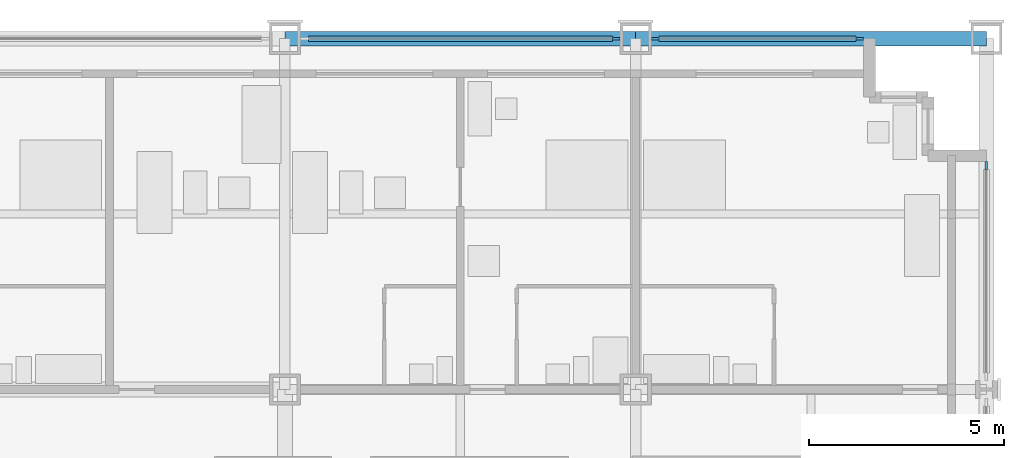
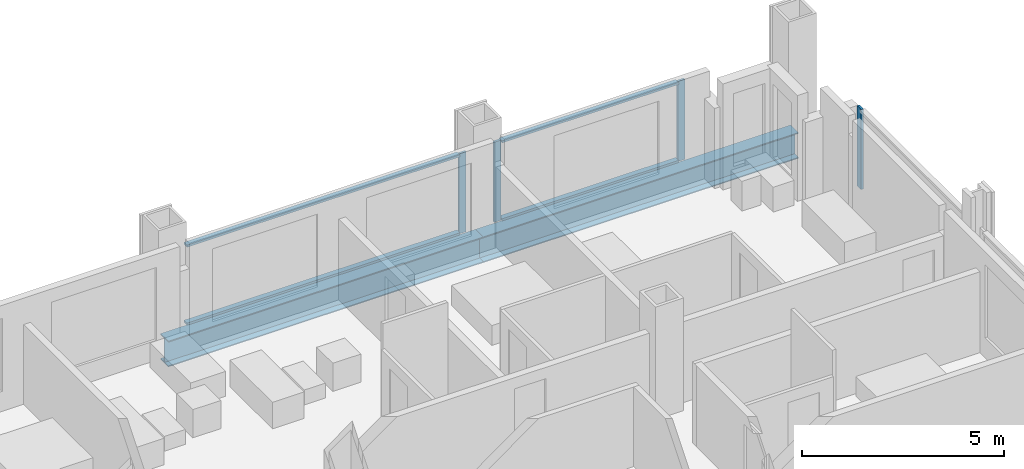
# One storey, part 8 of 18: 8 members, 2 beams, 3 elements without a shape of their own.
"""IFC4 building model written with IfcOpenShell, lengths in metres."""

from ifc_helpers import new_model, si_unit, direction, frame, origin, origin_2d, place, context, subcontext, project, spatial, rectangle, i_section, extrude, material, material_profile, profile_set, type_object, element, aggregate, save


model = new_model("IFC4")

# Units and contexts
model_context = context("Model", 3, precision=1e-05, world=origin(), true_north=direction((0.0, 1.0)))
body_context = subcontext(model_context, "Body", "Model", "MODEL_VIEW")
ifc_project = project(units=[si_unit("LENGTHUNIT", "METRE"), si_unit("AREAUNIT", "SQUARE_METRE"), si_unit("VOLUMEUNIT", "CUBIC_METRE"), si_unit("PLANEANGLEUNIT", "RADIAN"), si_unit("MASSUNIT", "GRAM", prefix="KILO")], contexts=[model_context])

# Site, building, storey
site_placement = place(None, origin())
site = spatial("IfcSite", under=ifc_project, at=site_placement, CompositionType="ELEMENT")
building_placement = place(site_placement, origin())
building = spatial("IfcBuilding", under=site, at=building_placement, Name="Loomwork Tower", CompositionType="ELEMENT")
storey_placement = place(building_placement, frame((0.0, 0.0, 72.199951171875)))
storey = spatial("IfcBuildingStorey", under=building, at=storey_placement, Name="L18", CompositionType="ELEMENT", Elevation=72.199951171875)

# Curtain wall, member
ifc_material_1 = material(Name="Aluminium curtain wall frame", Category="aluminium")
curtain_wall_type = type_object("IfcCurtainWallType", Name="Outer skin glazing hotel", PredefinedType="NOTDEFINED", material=ifc_material_1)
curtain_wall_1_placement = place(storey_placement, origin())
curtain_wall_1 = element("IfcCurtainWall", 1, at=curtain_wall_1_placement, inside=storey, type_object=curtain_wall_type, Name="Outer skin glazing hotel cw/N-36", PredefinedType="NOTDEFINED")
ifc_material_2 = material(Name="Aluminium curtain wall frame", Category="aluminium")
ifc_material_profile_1 = material_profile(ifc_material_2, rectangle(XDim=0.06494140625, YDim=0.199951171875, at=origin_2d()), Name="AL 65x200")
ifc_profile_set_1 = profile_set([ifc_material_profile_1], Name="Aluminium curtain wall frame")
member_type_1 = type_object("IfcMemberType", Name="Outer skin glazing hotel mullion", PredefinedType="MULLION", material=ifc_profile_set_1)
member_1_placement = place(storey_placement, frame((44.5, 36.0, 0.0), z_axis=(0.0, 0.0, 1.0), x_axis=(0.0, -1.0, 0.0)))
member_1 = element("IfcMember", 2, at=member_1_placement, type_object=member_type_1, Name="CW1 mullion 1", PredefinedType="MULLION", context=body_context, shape_type="SweptSolid", body=[
    extrude(rectangle(XDim=0.06494140625, YDim=0.199951171875, at=origin_2d()), origin(), (0.0, 0.0, 1.0), 2.420166015625),
])

# Curtain wall, members
curtain_wall_2_placement = place(storey_placement, origin())
curtain_wall_2 = element("IfcCurtainWall", 3, at=curtain_wall_2_placement, inside=storey, type_object=curtain_wall_type, Name="Outer skin glazing hotel cw/N-45", PredefinedType="NOTDEFINED")
member_2_placement = place(storey_placement, frame((50.75, 36.0, 0.0), z_axis=(0.0, 0.0, 1.0), x_axis=(0.0, -1.0, 0.0)))
member_2 = element("IfcMember", 4, at=member_2_placement, type_object=member_type_1, Name="CW1 mullion 1", PredefinedType="MULLION", context=body_context, shape_type="SweptSolid", body=[
    extrude(rectangle(XDim=0.06494140625, YDim=0.199951171875, at=origin_2d()), origin(), (0.0, 0.0, 1.0), 2.420166015625),
])
member_3_placement = place(storey_placement, frame((45.5, 36.0, 0.0), z_axis=(0.0, 0.0, 1.0), x_axis=(0.0, -1.0, 0.0)))
member_3 = element("IfcMember", 5, at=member_3_placement, type_object=member_type_1, Name="CW1 mullion 2", PredefinedType="MULLION", context=body_context, shape_type="SweptSolid", body=[
    extrude(rectangle(XDim=0.06494140625, YDim=0.199951171875, at=origin_2d()), origin(), (0.0, 0.0, 1.0), 2.420166015625),
])

# Curtain wall, member
curtain_wall_3_placement = place(storey_placement, origin())
curtain_wall_3 = element("IfcCurtainWall", 6, at=curtain_wall_3_placement, inside=storey, type_object=curtain_wall_type, Name="Outer skin glazing hotel cw/E-27", PredefinedType="NOTDEFINED")
member_4_placement = place(storey_placement, frame((54.0, 32.75, 0.0), z_axis=(0.0, 0.0, 1.0), x_axis=(-1.0, 0.0, 0.0)))
member_4 = element("IfcMember", 7, at=member_4_placement, type_object=member_type_1, Name="CW1 mullion 2", PredefinedType="MULLION", context=body_context, shape_type="SweptSolid", body=[
    extrude(rectangle(XDim=0.06494140625, YDim=0.199951171875, at=origin_2d()), origin(), (0.0, 0.0, 1.0), 2.420166015625),
])
aggregate(curtain_wall_3, [member_4])

# Member
ifc_material_3 = material(Name="Aluminium curtain wall frame", Category="aluminium")
ifc_material_profile_2 = material_profile(ifc_material_3, rectangle(XDim=0.14990234375, YDim=0.06494140625, at=origin_2d()), Name="AL 65x150")
ifc_profile_set_2 = profile_set([ifc_material_profile_2], Name="Aluminium curtain wall frame")
member_type_2 = type_object("IfcMemberType", Name="Outer skin glazing hotel transom", PredefinedType="USERDEFINED", material=ifc_profile_set_2)
member_5_placement = place(storey_placement, frame((44.39990234375, 36.0, 0.032470703125), z_axis=(-1.0, 0.0, 0.0), x_axis=(0.0, -1.0, 0.0)))
member_5 = element("IfcMember", 8, at=member_5_placement, type_object=member_type_2, Name="CW1 transom 1.1", ObjectType="TRANSOM", PredefinedType="USERDEFINED", context=body_context, shape_type="SweptSolid", body=[
    extrude(rectangle(XDim=0.14990234375, YDim=0.06494140625, at=origin_2d()), origin(), (0.0, 0.0, 1.0), 7.7998046875),
])

member_6_placement = place(storey_placement, frame((44.39990234375, 36.0, 2.3876953125), z_axis=(-1.0, 0.0, 0.0), x_axis=(0.0, -1.0, 0.0)))
member_6 = element("IfcMember", 9, at=member_6_placement, type_object=member_type_2, Name="CW1 transom 1.2", ObjectType="TRANSOM", PredefinedType="USERDEFINED", context=body_context, shape_type="SweptSolid", body=[
    extrude(rectangle(XDim=0.14990234375, YDim=0.06494140625, at=origin_2d()), origin(), (0.0, 0.0, 1.0), 7.7998046875),
])

aggregate(curtain_wall_1, [member_1, member_5, member_6])

member_7_placement = place(storey_placement, frame((50.64990234375, 36.0, 0.032470703125), z_axis=(-1.0, 0.0, 0.0), x_axis=(0.0, -1.0, 0.0)))
member_7 = element("IfcMember", 10, at=member_7_placement, type_object=member_type_2, Name="CW1 transom 1.1", ObjectType="TRANSOM", PredefinedType="USERDEFINED", context=body_context, shape_type="SweptSolid", body=[
    extrude(rectangle(XDim=0.14990234375, YDim=0.06494140625, at=origin_2d()), origin(), (0.0, 0.0, 1.0), 5.0498046875),
])

member_8_placement = place(storey_placement, frame((50.64990234375, 36.0, 2.3876953125), z_axis=(-1.0, 0.0, 0.0), x_axis=(0.0, -1.0, 0.0)))
member_8 = element("IfcMember", 11, at=member_8_placement, type_object=member_type_2, Name="CW1 transom 1.2", ObjectType="TRANSOM", PredefinedType="USERDEFINED", context=body_context, shape_type="SweptSolid", body=[
    extrude(rectangle(XDim=0.14990234375, YDim=0.06494140625, at=origin_2d()), origin(), (0.0, 0.0, 1.0), 5.0498046875),
])

aggregate(curtain_wall_2, [member_2, member_3, member_7, member_8])

# Beams
ifc_material_4 = material(Name="Steel ASTM A992", Category="steel")
ifc_material_profile_3 = material_profile(ifc_material_4, i_section(OverallWidth=0.381103515625, OverallDepth=0.77978515625, WebThickness=0.01806640625, FlangeThickness=0.0302734375, at=origin_2d()), Name="W30x191")
ifc_profile_set_3 = profile_set([ifc_material_profile_3], Name="Steel ASTM A992")
beam_type = type_object("IfcBeamType", Name="SPANDREL GIRDER W30x191", PredefinedType="SPANDREL", material=ifc_profile_set_3)
for number, where, z_axis, x_axis, name in (
    (12, (36.0, 36.0, -0.58984375), (1.0, 0.0, 0.0), (0.0, 1.0, 0.0), "Spandrel Girder H/6-H/7 L18"),
    (13, (45.0, 36.0, -0.58984375), (1.0, 0.0, 0.0), (0.0, 1.0, 0.0), "Spandrel Girder H/7-H/8 L18"),
):
    element("IfcBeam", number, at=place(storey_placement, frame(where, z_axis=z_axis, x_axis=x_axis)), inside=storey, type_object=beam_type, Name=name, PredefinedType="SPANDREL", context=body_context, shape_type="SweptSolid", body=[
        extrude(i_section(OverallWidth=0.381103515625, OverallDepth=0.77978515625, WebThickness=0.01806640625, FlangeThickness=0.0302734375, at=origin_2d()), origin(), (0.0, 0.0, 1.0), 9.0),
    ])

save(model, "model.ifc")
